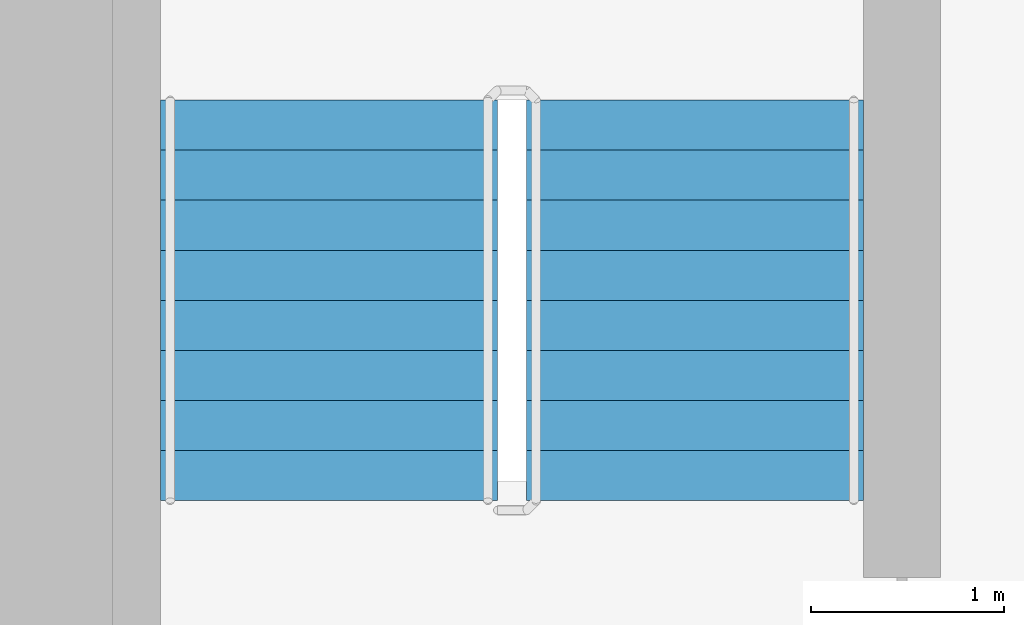
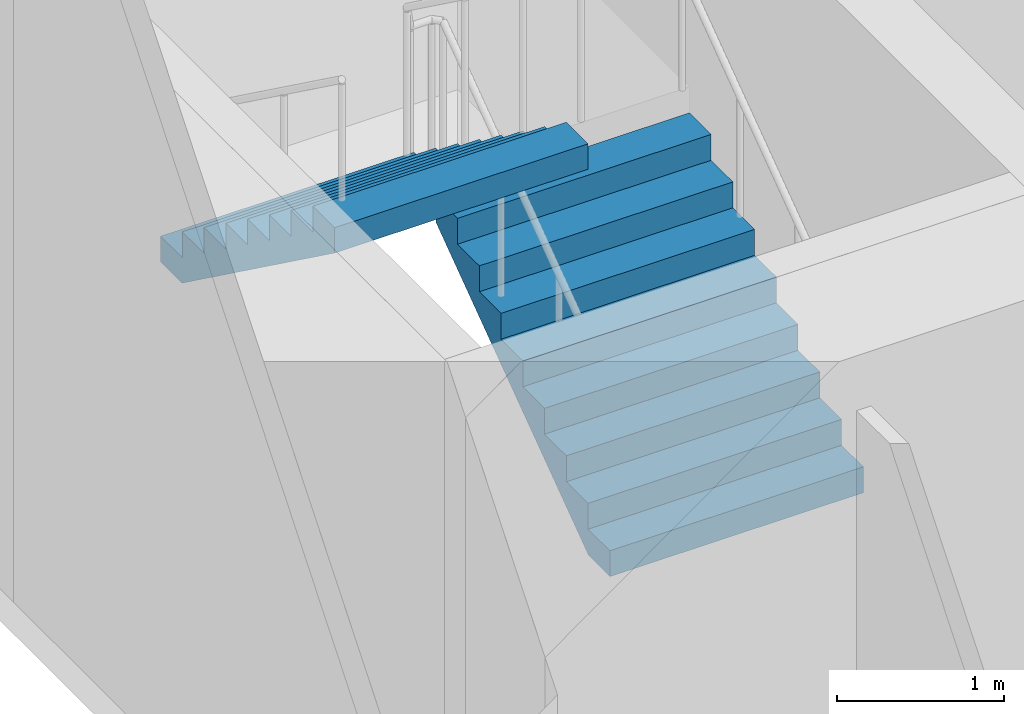
# One storey, part 17 of 20: 2 stair flights, 1 element without a shape of its own.
"""IFC4 building model written with IfcOpenShell, lengths in metres."""

from ifc_helpers import new_model, si_unit, direction, frame, origin, place, context, subcontext, project, spatial, faceted_brep, material, type_object, element, aggregate, save


model = new_model("IFC4")

# Units and contexts
model_context = context("Model", 3, precision=1e-05, world=origin(), true_north=direction((0.0, 1.0)))
body_context = subcontext(model_context, "Body", "Model", "MODEL_VIEW")
ifc_project = project(units=[si_unit("LENGTHUNIT", "METRE"), si_unit("AREAUNIT", "SQUARE_METRE"), si_unit("VOLUMEUNIT", "CUBIC_METRE"), si_unit("PLANEANGLEUNIT", "RADIAN"), si_unit("MASSUNIT", "GRAM", prefix="KILO")], contexts=[model_context])

# Site, building, storey
site_placement = place(None, origin())
site = spatial("IfcSite", under=ifc_project, at=site_placement, CompositionType="ELEMENT")
building_placement = place(site_placement, origin())
building = spatial("IfcBuilding", under=site, at=building_placement, Name="Ipe Terrace Towers", CompositionType="ELEMENT")
storey_placement = place(building_placement, frame((0.0, 0.0, 100.39990234375)))
storey = spatial("IfcBuildingStorey", under=building, at=storey_placement, Name="L27", CompositionType="ELEMENT", Elevation=100.39990234375)

# Stair, stair flights
ifc_material_1 = material(Name="Concrete C30/37", Category="concrete")
stair_type = type_object("IfcStairType", Name="Protected exit stair", PredefinedType="HALF_TURN_STAIR", material=ifc_material_1)
stair_placement = place(storey_placement, origin())
stair = element("IfcStair", 1, at=stair_placement, inside=storey, type_object=stair_type, Name="L27 Exit stair T2-C1", PredefinedType="HALF_TURN_STAIR")
ifc_material_2 = material(Name="Concrete C30/37", Category="concrete")
stair_flight_type = type_object("IfcStairFlightType", Name="Exit stair flight 1750", PredefinedType="STRAIGHT", material=ifc_material_2)
stair_flight_1_placement = place(storey_placement, frame((33.22509765625, 9.699951171875, 0.0), z_axis=(0.0, 0.0, 1.0), x_axis=(0.0, 1.0, 0.0)))
stair_flight_1 = element("IfcStairFlight", 2, at=stair_flight_1_placement, type_object=stair_flight_type, Name="T2-ST1 flight 1", NumberOfRisers=9, NumberOfTreads=8, PredefinedType="STRAIGHT", RiserHeight=0.188888889, TreadLength=0.26, context=body_context, shape_type="Brep", body=[
    faceted_brep([(0.255126953125, -0.875, 0.0), (2.080078125, -0.875, 1.325927734375), (2.080078125, -0.875, 1.51123046875), (1.820068359375, -0.875, 1.51123046875), (1.820068359375, -0.875, 1.322265625), (1.56005859375, -0.875, 1.322265625), (1.56005859375, -0.875, 1.13330078125), (1.300048828125, -0.875, 1.13330078125), (1.300048828125, -0.875, 0.9443359375), (1.0400390625, -0.875, 0.9443359375), (1.0400390625, -0.875, 0.755615234375), (0.780029296875, -0.875, 0.755615234375), (0.780029296875, -0.875, 0.566650390625), (0.52001953125, -0.875, 0.566650390625), (0.52001953125, -0.875, 0.377685546875), (0.260009765625, -0.875, 0.377685546875), (0.260009765625, -0.875, 0.18896484375), (0.0, -0.875, 0.18896484375), (0.0, -0.875, 0.0), (0.0, 0.875, 0.0), (0.0, 0.875, 0.18896484375), (0.260009765625, 0.875, 0.18896484375), (0.260009765625, 0.875, 0.377685546875), (0.52001953125, 0.875, 0.377685546875), (0.52001953125, 0.875, 0.566650390625), (0.780029296875, 0.875, 0.566650390625), (0.780029296875, 0.875, 0.755615234375), (1.0400390625, 0.875, 0.755615234375), (1.0400390625, 0.875, 0.9443359375), (1.300048828125, 0.875, 0.9443359375), (1.300048828125, 0.875, 1.13330078125), (1.56005859375, 0.875, 1.13330078125), (1.56005859375, 0.875, 1.322265625), (1.820068359375, 0.875, 1.322265625), (1.820068359375, 0.875, 1.51123046875), (2.080078125, 0.875, 1.51123046875), (2.080078125, 0.875, 1.325927734375), (0.255126953125, 0.875, 0.0), (0.0, -0.300048828125, 0.18896484375), (0.0, -0.1201171875, 0.18896484375), (0.0, -0.06005859375, 0.18896484375), (0.0, -0.030029296875, 0.18896484375), (0.0, -0.010009765625, 0.18896484375), (0.0, 0.0, 0.18896484375), (0.0, 0.010009765625, 0.18896484375), (0.0, 0.030029296875, 0.18896484375), (0.0, 0.06005859375, 0.18896484375), (0.0, 0.1201171875, 0.18896484375), (0.0, 0.300048828125, 0.18896484375), (0.0, 0.300048828125, 0.0), (0.0, 0.1201171875, 0.0), (0.0, 0.06005859375, 0.0), (0.0, 0.030029296875, 0.0), (0.0, 0.010009765625, 0.0), (0.0, 0.0, 0.0), (0.0, -0.010009765625, 0.0), (0.0, -0.030029296875, 0.0), (0.0, -0.06005859375, 0.0), (0.0, -0.1201171875, 0.0), (0.0, -0.300048828125, 0.0), (0.260009765625, -0.300048828125, 0.18896484375), (0.260009765625, -0.1201171875, 0.18896484375), (0.260009765625, -0.06005859375, 0.18896484375), (0.260009765625, -0.030029296875, 0.18896484375), (0.260009765625, -0.010009765625, 0.18896484375), (0.260009765625, 0.0, 0.18896484375), (0.260009765625, 0.010009765625, 0.18896484375), (0.260009765625, 0.030029296875, 0.18896484375), (0.260009765625, 0.06005859375, 0.18896484375), (0.260009765625, 0.1201171875, 0.18896484375), (0.260009765625, 0.300048828125, 0.18896484375), (0.260009765625, -0.300048828125, 0.377685546875), (0.260009765625, -0.1201171875, 0.377685546875), (0.260009765625, -0.06005859375, 0.377685546875), (0.260009765625, -0.030029296875, 0.377685546875), (0.260009765625, -0.010009765625, 0.377685546875), (0.260009765625, 0.0, 0.377685546875), (0.260009765625, 0.010009765625, 0.377685546875), (0.260009765625, 0.030029296875, 0.377685546875), (0.260009765625, 0.06005859375, 0.377685546875), (0.260009765625, 0.1201171875, 0.377685546875), (0.260009765625, 0.300048828125, 0.377685546875), (0.52001953125, -0.300048828125, 0.377685546875), (0.52001953125, -0.1201171875, 0.377685546875), (0.52001953125, -0.06005859375, 0.377685546875), (0.52001953125, -0.030029296875, 0.377685546875), (0.52001953125, -0.010009765625, 0.377685546875), (0.52001953125, 0.0, 0.377685546875), (0.52001953125, 0.010009765625, 0.377685546875), (0.52001953125, 0.030029296875, 0.377685546875), (0.52001953125, 0.06005859375, 0.377685546875), (0.52001953125, 0.1201171875, 0.377685546875), (0.52001953125, 0.300048828125, 0.377685546875), (0.52001953125, -0.300048828125, 0.566650390625), (0.52001953125, -0.1201171875, 0.566650390625), (0.52001953125, -0.06005859375, 0.566650390625), (0.52001953125, -0.030029296875, 0.566650390625), (0.52001953125, -0.010009765625, 0.566650390625), (0.52001953125, 0.0, 0.566650390625), (0.52001953125, 0.010009765625, 0.566650390625), (0.52001953125, 0.030029296875, 0.566650390625), (0.52001953125, 0.06005859375, 0.566650390625), (0.52001953125, 0.1201171875, 0.566650390625), (0.52001953125, 0.300048828125, 0.566650390625), (0.780029296875, -0.300048828125, 0.566650390625), (0.780029296875, -0.1201171875, 0.566650390625), (0.780029296875, -0.06005859375, 0.566650390625), (0.780029296875, -0.030029296875, 0.566650390625), (0.780029296875, -0.010009765625, 0.566650390625), (0.780029296875, 0.0, 0.566650390625), (0.780029296875, 0.010009765625, 0.566650390625), (0.780029296875, 0.030029296875, 0.566650390625), (0.780029296875, 0.06005859375, 0.566650390625), (0.780029296875, 0.1201171875, 0.566650390625), (0.780029296875, 0.300048828125, 0.566650390625), (0.780029296875, -0.300048828125, 0.755615234375), (0.780029296875, -0.1201171875, 0.755615234375), (0.780029296875, -0.06005859375, 0.755615234375), (0.780029296875, -0.030029296875, 0.755615234375), (0.780029296875, -0.010009765625, 0.755615234375), (0.780029296875, 0.0, 0.755615234375), (0.780029296875, 0.010009765625, 0.755615234375), (0.780029296875, 0.030029296875, 0.755615234375), (0.780029296875, 0.06005859375, 0.755615234375), (0.780029296875, 0.1201171875, 0.755615234375), (0.780029296875, 0.300048828125, 0.755615234375), (1.0400390625, -0.300048828125, 0.755615234375), (1.0400390625, -0.1201171875, 0.755615234375), (1.0400390625, -0.06005859375, 0.755615234375), (1.0400390625, -0.030029296875, 0.755615234375), (1.0400390625, -0.010009765625, 0.755615234375), (1.0400390625, 0.0, 0.755615234375), (1.0400390625, 0.010009765625, 0.755615234375), (1.0400390625, 0.030029296875, 0.755615234375), (1.0400390625, 0.06005859375, 0.755615234375), (1.0400390625, 0.1201171875, 0.755615234375), (1.0400390625, 0.300048828125, 0.755615234375), (1.0400390625, -0.300048828125, 0.9443359375), (1.0400390625, -0.1201171875, 0.9443359375), (1.0400390625, -0.06005859375, 0.9443359375), (1.0400390625, -0.030029296875, 0.9443359375), (1.0400390625, -0.010009765625, 0.9443359375), (1.0400390625, 0.0, 0.9443359375), (1.0400390625, 0.010009765625, 0.9443359375), (1.0400390625, 0.030029296875, 0.9443359375), (1.0400390625, 0.06005859375, 0.9443359375), (1.0400390625, 0.1201171875, 0.9443359375), (1.0400390625, 0.300048828125, 0.9443359375), (1.300048828125, -0.300048828125, 0.9443359375), (1.300048828125, -0.1201171875, 0.9443359375), (1.300048828125, -0.06005859375, 0.9443359375), (1.300048828125, -0.030029296875, 0.9443359375), (1.300048828125, -0.010009765625, 0.9443359375), (1.300048828125, 0.0, 0.9443359375), (1.300048828125, 0.010009765625, 0.9443359375), (1.300048828125, 0.030029296875, 0.9443359375), (1.300048828125, 0.06005859375, 0.9443359375), (1.300048828125, 0.1201171875, 0.9443359375), (1.300048828125, 0.300048828125, 0.9443359375), (1.300048828125, -0.300048828125, 1.13330078125), (1.300048828125, -0.1201171875, 1.13330078125), (1.300048828125, -0.06005859375, 1.13330078125), (1.300048828125, -0.030029296875, 1.13330078125), (1.300048828125, -0.010009765625, 1.13330078125), (1.300048828125, 0.0, 1.13330078125), (1.300048828125, 0.010009765625, 1.13330078125), (1.300048828125, 0.030029296875, 1.13330078125), (1.300048828125, 0.06005859375, 1.13330078125), (1.300048828125, 0.1201171875, 1.13330078125), (1.300048828125, 0.300048828125, 1.13330078125), (1.56005859375, -0.300048828125, 1.13330078125), (1.56005859375, -0.1201171875, 1.13330078125), (1.56005859375, -0.06005859375, 1.13330078125), (1.56005859375, -0.030029296875, 1.13330078125), (1.56005859375, -0.010009765625, 1.13330078125), (1.56005859375, 0.0, 1.13330078125), (1.56005859375, 0.010009765625, 1.13330078125), (1.56005859375, 0.030029296875, 1.13330078125), (1.56005859375, 0.06005859375, 1.13330078125), (1.56005859375, 0.1201171875, 1.13330078125), (1.56005859375, 0.300048828125, 1.13330078125), (1.56005859375, -0.300048828125, 1.322265625), (1.56005859375, -0.1201171875, 1.322265625), (1.56005859375, -0.06005859375, 1.322265625), (1.56005859375, -0.030029296875, 1.322265625), (1.56005859375, -0.010009765625, 1.322265625), (1.56005859375, 0.0, 1.322265625), (1.56005859375, 0.010009765625, 1.322265625), (1.56005859375, 0.030029296875, 1.322265625), (1.56005859375, 0.06005859375, 1.322265625), (1.56005859375, 0.1201171875, 1.322265625), (1.56005859375, 0.300048828125, 1.322265625), (1.820068359375, -0.300048828125, 1.322265625), (1.820068359375, -0.1201171875, 1.322265625), (1.820068359375, -0.06005859375, 1.322265625), (1.820068359375, -0.030029296875, 1.322265625), (1.820068359375, -0.010009765625, 1.322265625), (1.820068359375, 0.0, 1.322265625), (1.820068359375, 0.010009765625, 1.322265625), (1.820068359375, 0.030029296875, 1.322265625), (1.820068359375, 0.06005859375, 1.322265625), (1.820068359375, 0.1201171875, 1.322265625), (1.820068359375, 0.300048828125, 1.322265625), (1.820068359375, -0.300048828125, 1.51123046875), (1.820068359375, -0.1201171875, 1.51123046875), (1.820068359375, -0.06005859375, 1.51123046875), (1.820068359375, -0.030029296875, 1.51123046875), (1.820068359375, -0.010009765625, 1.51123046875), (1.820068359375, 0.0, 1.51123046875), (1.820068359375, 0.010009765625, 1.51123046875), (1.820068359375, 0.030029296875, 1.51123046875), (1.820068359375, 0.06005859375, 1.51123046875), (1.820068359375, 0.1201171875, 1.51123046875), (1.820068359375, 0.300048828125, 1.51123046875), (2.080078125, -0.300048828125, 1.51123046875), (2.080078125, -0.1201171875, 1.51123046875), (2.080078125, -0.06005859375, 1.51123046875), (2.080078125, -0.030029296875, 1.51123046875), (2.080078125, -0.010009765625, 1.51123046875), (2.080078125, 0.0, 1.51123046875), (2.080078125, 0.010009765625, 1.51123046875), (2.080078125, 0.030029296875, 1.51123046875), (2.080078125, 0.06005859375, 1.51123046875), (2.080078125, 0.1201171875, 1.51123046875), (2.080078125, 0.300048828125, 1.51123046875), (2.080078125, -0.300048828125, 1.325927734375), (2.080078125, -0.1201171875, 1.325927734375), (2.080078125, -0.06005859375, 1.325927734375), (2.080078125, -0.030029296875, 1.325927734375), (2.080078125, -0.010009765625, 1.325927734375), (2.080078125, 0.0, 1.325927734375), (2.080078125, 0.010009765625, 1.325927734375), (2.080078125, 0.030029296875, 1.325927734375), (2.080078125, 0.06005859375, 1.325927734375), (2.080078125, 0.1201171875, 1.325927734375), (2.080078125, 0.300048828125, 1.325927734375), (0.255126953125, -0.300048828125, 0.0), (0.255126953125, -0.1201171875, 0.0), (0.255126953125, -0.06005859375, 0.0), (0.255126953125, -0.030029296875, 0.0), (0.255126953125, -0.010009765625, 0.0), (0.255126953125, 0.0, 0.0), (0.255126953125, 0.010009765625, 0.0), (0.255126953125, 0.030029296875, 0.0), (0.255126953125, 0.06005859375, 0.0), (0.255126953125, 0.1201171875, 0.0), (0.255126953125, 0.300048828125, 0.0)], [[[0, 1, 2, 3, 4, 5, 6, 7, 8, 9, 10, 11, 12, 13, 14, 15, 16, 17, 18]], [[19, 20, 21, 22, 23, 24, 25, 26, 27, 28, 29, 30, 31, 32, 33, 34, 35, 36, 37]], [[17, 38, 39, 40, 41, 42, 43, 44, 45, 46, 47, 48, 20, 19, 49, 50, 51, 52, 53, 54, 55, 56, 57, 58, 59, 18]], [[16, 60, 61, 62, 63, 64, 65, 66, 67, 68, 69, 70, 21, 20, 48, 47, 46, 45, 44, 43, 42, 41, 40, 39, 38, 17]], [[15, 71, 72, 73, 74, 75, 76, 77, 78, 79, 80, 81, 22, 21, 70, 69, 68, 67, 66, 65, 64, 63, 62, 61, 60, 16]], [[14, 82, 83, 84, 85, 86, 87, 88, 89, 90, 91, 92, 23, 22, 81, 80, 79, 78, 77, 76, 75, 74, 73, 72, 71, 15]], [[13, 93, 94, 95, 96, 97, 98, 99, 100, 101, 102, 103, 24, 23, 92, 91, 90, 89, 88, 87, 86, 85, 84, 83, 82, 14]], [[12, 104, 105, 106, 107, 108, 109, 110, 111, 112, 113, 114, 25, 24, 103, 102, 101, 100, 99, 98, 97, 96, 95, 94, 93, 13]], [[11, 115, 116, 117, 118, 119, 120, 121, 122, 123, 124, 125, 26, 25, 114, 113, 112, 111, 110, 109, 108, 107, 106, 105, 104, 12]], [[10, 126, 127, 128, 129, 130, 131, 132, 133, 134, 135, 136, 27, 26, 125, 124, 123, 122, 121, 120, 119, 118, 117, 116, 115, 11]], [[9, 137, 138, 139, 140, 141, 142, 143, 144, 145, 146, 147, 28, 27, 136, 135, 134, 133, 132, 131, 130, 129, 128, 127, 126, 10]], [[8, 148, 149, 150, 151, 152, 153, 154, 155, 156, 157, 158, 29, 28, 147, 146, 145, 144, 143, 142, 141, 140, 139, 138, 137, 9]], [[7, 159, 160, 161, 162, 163, 164, 165, 166, 167, 168, 169, 30, 29, 158, 157, 156, 155, 154, 153, 152, 151, 150, 149, 148, 8]], [[6, 170, 171, 172, 173, 174, 175, 176, 177, 178, 179, 180, 31, 30, 169, 168, 167, 166, 165, 164, 163, 162, 161, 160, 159, 7]], [[5, 181, 182, 183, 184, 185, 186, 187, 188, 189, 190, 191, 32, 31, 180, 179, 178, 177, 176, 175, 174, 173, 172, 171, 170, 6]], [[4, 192, 193, 194, 195, 196, 197, 198, 199, 200, 201, 202, 33, 32, 191, 190, 189, 188, 187, 186, 185, 184, 183, 182, 181, 5]], [[3, 203, 204, 205, 206, 207, 208, 209, 210, 211, 212, 213, 34, 33, 202, 201, 200, 199, 198, 197, 196, 195, 194, 193, 192, 4]], [[2, 214, 215, 216, 217, 218, 219, 220, 221, 222, 223, 224, 35, 34, 213, 212, 211, 210, 209, 208, 207, 206, 205, 204, 203, 3]], [[1, 225, 226, 227, 228, 229, 230, 231, 232, 233, 234, 235, 36, 35, 224, 223, 222, 221, 220, 219, 218, 217, 216, 215, 214, 2]], [[0, 236, 237, 238, 239, 240, 241, 242, 243, 244, 245, 246, 37, 36, 235, 234, 233, 232, 231, 230, 229, 228, 227, 226, 225, 1]], [[18, 59, 58, 57, 56, 55, 54, 53, 52, 51, 50, 49, 19, 37, 246, 245, 244, 243, 242, 241, 240, 239, 238, 237, 236, 0]]]),
])
stair_flight_2_placement = place(storey_placement, frame((31.324951171875, 11.780029296875, 1.7001953125), z_axis=(0.0, 0.0, 1.0), x_axis=(0.0, -1.0, 0.0)))
stair_flight_2 = element("IfcStairFlight", 3, at=stair_flight_2_placement, type_object=stair_flight_type, Name="T2-ST1 flight 2", NumberOfRisers=9, NumberOfTreads=8, PredefinedType="STRAIGHT", RiserHeight=0.188888889, TreadLength=0.26, context=body_context, shape_type="Brep", body=[
    faceted_brep([(0.255126953125, -0.875, 0.0), (2.080078125, -0.875, 1.325927734375), (2.080078125, -0.875, 1.51123046875), (1.820068359375, -0.875, 1.51123046875), (1.820068359375, -0.875, 1.322265625), (1.56005859375, -0.875, 1.322265625), (1.56005859375, -0.875, 1.13330078125), (1.300048828125, -0.875, 1.13330078125), (1.300048828125, -0.875, 0.9443359375), (1.0400390625, -0.875, 0.9443359375), (1.0400390625, -0.875, 0.755615234375), (0.780029296875, -0.875, 0.755615234375), (0.780029296875, -0.875, 0.566650390625), (0.52001953125, -0.875, 0.566650390625), (0.52001953125, -0.875, 0.377685546875), (0.260009765625, -0.875, 0.377685546875), (0.260009765625, -0.875, 0.18896484375), (0.0, -0.875, 0.18896484375), (0.0, -0.875, 0.0), (0.0, 0.875, 0.0), (0.0, 0.875, 0.18896484375), (0.260009765625, 0.875, 0.18896484375), (0.260009765625, 0.875, 0.377685546875), (0.52001953125, 0.875, 0.377685546875), (0.52001953125, 0.875, 0.566650390625), (0.780029296875, 0.875, 0.566650390625), (0.780029296875, 0.875, 0.755615234375), (1.0400390625, 0.875, 0.755615234375), (1.0400390625, 0.875, 0.9443359375), (1.300048828125, 0.875, 0.9443359375), (1.300048828125, 0.875, 1.13330078125), (1.56005859375, 0.875, 1.13330078125), (1.56005859375, 0.875, 1.322265625), (1.820068359375, 0.875, 1.322265625), (1.820068359375, 0.875, 1.51123046875), (2.080078125, 0.875, 1.51123046875), (2.080078125, 0.875, 1.325927734375), (0.255126953125, 0.875, 0.0), (0.0, -0.300048828125, 0.18896484375), (0.0, -0.1201171875, 0.18896484375), (0.0, -0.06005859375, 0.18896484375), (0.0, -0.030029296875, 0.18896484375), (0.0, -0.010009765625, 0.18896484375), (0.0, 0.0, 0.18896484375), (0.0, 0.010009765625, 0.18896484375), (0.0, 0.030029296875, 0.18896484375), (0.0, 0.06005859375, 0.18896484375), (0.0, 0.1201171875, 0.18896484375), (0.0, 0.300048828125, 0.18896484375), (0.0, 0.300048828125, 0.0), (0.0, 0.1201171875, 0.0), (0.0, 0.06005859375, 0.0), (0.0, 0.030029296875, 0.0), (0.0, 0.010009765625, 0.0), (0.0, 0.0, 0.0), (0.0, -0.010009765625, 0.0), (0.0, -0.030029296875, 0.0), (0.0, -0.06005859375, 0.0), (0.0, -0.1201171875, 0.0), (0.0, -0.300048828125, 0.0), (0.260009765625, -0.300048828125, 0.18896484375), (0.260009765625, -0.1201171875, 0.18896484375), (0.260009765625, -0.06005859375, 0.18896484375), (0.260009765625, -0.030029296875, 0.18896484375), (0.260009765625, -0.010009765625, 0.18896484375), (0.260009765625, 0.0, 0.18896484375), (0.260009765625, 0.010009765625, 0.18896484375), (0.260009765625, 0.030029296875, 0.18896484375), (0.260009765625, 0.06005859375, 0.18896484375), (0.260009765625, 0.1201171875, 0.18896484375), (0.260009765625, 0.300048828125, 0.18896484375), (0.260009765625, -0.300048828125, 0.377685546875), (0.260009765625, -0.1201171875, 0.377685546875), (0.260009765625, -0.06005859375, 0.377685546875), (0.260009765625, -0.030029296875, 0.377685546875), (0.260009765625, -0.010009765625, 0.377685546875), (0.260009765625, 0.0, 0.377685546875), (0.260009765625, 0.010009765625, 0.377685546875), (0.260009765625, 0.030029296875, 0.377685546875), (0.260009765625, 0.06005859375, 0.377685546875), (0.260009765625, 0.1201171875, 0.377685546875), (0.260009765625, 0.300048828125, 0.377685546875), (0.52001953125, -0.300048828125, 0.377685546875), (0.52001953125, -0.1201171875, 0.377685546875), (0.52001953125, -0.06005859375, 0.377685546875), (0.52001953125, -0.030029296875, 0.377685546875), (0.52001953125, -0.010009765625, 0.377685546875), (0.52001953125, 0.0, 0.377685546875), (0.52001953125, 0.010009765625, 0.377685546875), (0.52001953125, 0.030029296875, 0.377685546875), (0.52001953125, 0.06005859375, 0.377685546875), (0.52001953125, 0.1201171875, 0.377685546875), (0.52001953125, 0.300048828125, 0.377685546875), (0.52001953125, -0.300048828125, 0.566650390625), (0.52001953125, -0.1201171875, 0.566650390625), (0.52001953125, -0.06005859375, 0.566650390625), (0.52001953125, -0.030029296875, 0.566650390625), (0.52001953125, -0.010009765625, 0.566650390625), (0.52001953125, 0.0, 0.566650390625), (0.52001953125, 0.010009765625, 0.566650390625), (0.52001953125, 0.030029296875, 0.566650390625), (0.52001953125, 0.06005859375, 0.566650390625), (0.52001953125, 0.1201171875, 0.566650390625), (0.52001953125, 0.300048828125, 0.566650390625), (0.780029296875, -0.300048828125, 0.566650390625), (0.780029296875, -0.1201171875, 0.566650390625), (0.780029296875, -0.06005859375, 0.566650390625), (0.780029296875, -0.030029296875, 0.566650390625), (0.780029296875, -0.010009765625, 0.566650390625), (0.780029296875, 0.0, 0.566650390625), (0.780029296875, 0.010009765625, 0.566650390625), (0.780029296875, 0.030029296875, 0.566650390625), (0.780029296875, 0.06005859375, 0.566650390625), (0.780029296875, 0.1201171875, 0.566650390625), (0.780029296875, 0.300048828125, 0.566650390625), (0.780029296875, -0.300048828125, 0.755615234375), (0.780029296875, -0.1201171875, 0.755615234375), (0.780029296875, -0.06005859375, 0.755615234375), (0.780029296875, -0.030029296875, 0.755615234375), (0.780029296875, -0.010009765625, 0.755615234375), (0.780029296875, 0.0, 0.755615234375), (0.780029296875, 0.010009765625, 0.755615234375), (0.780029296875, 0.030029296875, 0.755615234375), (0.780029296875, 0.06005859375, 0.755615234375), (0.780029296875, 0.1201171875, 0.755615234375), (0.780029296875, 0.300048828125, 0.755615234375), (1.0400390625, -0.300048828125, 0.755615234375), (1.0400390625, -0.1201171875, 0.755615234375), (1.0400390625, -0.06005859375, 0.755615234375), (1.0400390625, -0.030029296875, 0.755615234375), (1.0400390625, -0.010009765625, 0.755615234375), (1.0400390625, 0.0, 0.755615234375), (1.0400390625, 0.010009765625, 0.755615234375), (1.0400390625, 0.030029296875, 0.755615234375), (1.0400390625, 0.06005859375, 0.755615234375), (1.0400390625, 0.1201171875, 0.755615234375), (1.0400390625, 0.300048828125, 0.755615234375), (1.0400390625, -0.300048828125, 0.9443359375), (1.0400390625, -0.1201171875, 0.9443359375), (1.0400390625, -0.06005859375, 0.9443359375), (1.0400390625, -0.030029296875, 0.9443359375), (1.0400390625, -0.010009765625, 0.9443359375), (1.0400390625, 0.0, 0.9443359375), (1.0400390625, 0.010009765625, 0.9443359375), (1.0400390625, 0.030029296875, 0.9443359375), (1.0400390625, 0.06005859375, 0.9443359375), (1.0400390625, 0.1201171875, 0.9443359375), (1.0400390625, 0.300048828125, 0.9443359375), (1.300048828125, -0.300048828125, 0.9443359375), (1.300048828125, -0.1201171875, 0.9443359375), (1.300048828125, -0.06005859375, 0.9443359375), (1.300048828125, -0.030029296875, 0.9443359375), (1.300048828125, -0.010009765625, 0.9443359375), (1.300048828125, 0.0, 0.9443359375), (1.300048828125, 0.010009765625, 0.9443359375), (1.300048828125, 0.030029296875, 0.9443359375), (1.300048828125, 0.06005859375, 0.9443359375), (1.300048828125, 0.1201171875, 0.9443359375), (1.300048828125, 0.300048828125, 0.9443359375), (1.300048828125, -0.300048828125, 1.13330078125), (1.300048828125, -0.1201171875, 1.13330078125), (1.300048828125, -0.06005859375, 1.13330078125), (1.300048828125, -0.030029296875, 1.13330078125), (1.300048828125, -0.010009765625, 1.13330078125), (1.300048828125, 0.0, 1.13330078125), (1.300048828125, 0.010009765625, 1.13330078125), (1.300048828125, 0.030029296875, 1.13330078125), (1.300048828125, 0.06005859375, 1.13330078125), (1.300048828125, 0.1201171875, 1.13330078125), (1.300048828125, 0.300048828125, 1.13330078125), (1.56005859375, -0.300048828125, 1.13330078125), (1.56005859375, -0.1201171875, 1.13330078125), (1.56005859375, -0.06005859375, 1.13330078125), (1.56005859375, -0.030029296875, 1.13330078125), (1.56005859375, -0.010009765625, 1.13330078125), (1.56005859375, 0.0, 1.13330078125), (1.56005859375, 0.010009765625, 1.13330078125), (1.56005859375, 0.030029296875, 1.13330078125), (1.56005859375, 0.06005859375, 1.13330078125), (1.56005859375, 0.1201171875, 1.13330078125), (1.56005859375, 0.300048828125, 1.13330078125), (1.56005859375, -0.300048828125, 1.322265625), (1.56005859375, -0.1201171875, 1.322265625), (1.56005859375, -0.06005859375, 1.322265625), (1.56005859375, -0.030029296875, 1.322265625), (1.56005859375, -0.010009765625, 1.322265625), (1.56005859375, 0.0, 1.322265625), (1.56005859375, 0.010009765625, 1.322265625), (1.56005859375, 0.030029296875, 1.322265625), (1.56005859375, 0.06005859375, 1.322265625), (1.56005859375, 0.1201171875, 1.322265625), (1.56005859375, 0.300048828125, 1.322265625), (1.820068359375, -0.300048828125, 1.322265625), (1.820068359375, -0.1201171875, 1.322265625), (1.820068359375, -0.06005859375, 1.322265625), (1.820068359375, -0.030029296875, 1.322265625), (1.820068359375, -0.010009765625, 1.322265625), (1.820068359375, 0.0, 1.322265625), (1.820068359375, 0.010009765625, 1.322265625), (1.820068359375, 0.030029296875, 1.322265625), (1.820068359375, 0.06005859375, 1.322265625), (1.820068359375, 0.1201171875, 1.322265625), (1.820068359375, 0.300048828125, 1.322265625), (1.820068359375, -0.300048828125, 1.51123046875), (1.820068359375, -0.1201171875, 1.51123046875), (1.820068359375, -0.06005859375, 1.51123046875), (1.820068359375, -0.030029296875, 1.51123046875), (1.820068359375, -0.010009765625, 1.51123046875), (1.820068359375, 0.0, 1.51123046875), (1.820068359375, 0.010009765625, 1.51123046875), (1.820068359375, 0.030029296875, 1.51123046875), (1.820068359375, 0.06005859375, 1.51123046875), (1.820068359375, 0.1201171875, 1.51123046875), (1.820068359375, 0.300048828125, 1.51123046875), (2.080078125, -0.300048828125, 1.51123046875), (2.080078125, -0.1201171875, 1.51123046875), (2.080078125, -0.06005859375, 1.51123046875), (2.080078125, -0.030029296875, 1.51123046875), (2.080078125, -0.010009765625, 1.51123046875), (2.080078125, 0.0, 1.51123046875), (2.080078125, 0.010009765625, 1.51123046875), (2.080078125, 0.030029296875, 1.51123046875), (2.080078125, 0.06005859375, 1.51123046875), (2.080078125, 0.1201171875, 1.51123046875), (2.080078125, 0.300048828125, 1.51123046875), (2.080078125, -0.300048828125, 1.325927734375), (2.080078125, -0.1201171875, 1.325927734375), (2.080078125, -0.06005859375, 1.325927734375), (2.080078125, -0.030029296875, 1.325927734375), (2.080078125, -0.010009765625, 1.325927734375), (2.080078125, 0.0, 1.325927734375), (2.080078125, 0.010009765625, 1.325927734375), (2.080078125, 0.030029296875, 1.325927734375), (2.080078125, 0.06005859375, 1.325927734375), (2.080078125, 0.1201171875, 1.325927734375), (2.080078125, 0.300048828125, 1.325927734375), (0.255126953125, -0.300048828125, 0.0), (0.255126953125, -0.1201171875, 0.0), (0.255126953125, -0.06005859375, 0.0), (0.255126953125, -0.030029296875, 0.0), (0.255126953125, -0.010009765625, 0.0), (0.255126953125, 0.0, 0.0), (0.255126953125, 0.010009765625, 0.0), (0.255126953125, 0.030029296875, 0.0), (0.255126953125, 0.06005859375, 0.0), (0.255126953125, 0.1201171875, 0.0), (0.255126953125, 0.300048828125, 0.0)], [[[0, 1, 2, 3, 4, 5, 6, 7, 8, 9, 10, 11, 12, 13, 14, 15, 16, 17, 18]], [[19, 20, 21, 22, 23, 24, 25, 26, 27, 28, 29, 30, 31, 32, 33, 34, 35, 36, 37]], [[17, 38, 39, 40, 41, 42, 43, 44, 45, 46, 47, 48, 20, 19, 49, 50, 51, 52, 53, 54, 55, 56, 57, 58, 59, 18]], [[16, 60, 61, 62, 63, 64, 65, 66, 67, 68, 69, 70, 21, 20, 48, 47, 46, 45, 44, 43, 42, 41, 40, 39, 38, 17]], [[15, 71, 72, 73, 74, 75, 76, 77, 78, 79, 80, 81, 22, 21, 70, 69, 68, 67, 66, 65, 64, 63, 62, 61, 60, 16]], [[14, 82, 83, 84, 85, 86, 87, 88, 89, 90, 91, 92, 23, 22, 81, 80, 79, 78, 77, 76, 75, 74, 73, 72, 71, 15]], [[13, 93, 94, 95, 96, 97, 98, 99, 100, 101, 102, 103, 24, 23, 92, 91, 90, 89, 88, 87, 86, 85, 84, 83, 82, 14]], [[12, 104, 105, 106, 107, 108, 109, 110, 111, 112, 113, 114, 25, 24, 103, 102, 101, 100, 99, 98, 97, 96, 95, 94, 93, 13]], [[11, 115, 116, 117, 118, 119, 120, 121, 122, 123, 124, 125, 26, 25, 114, 113, 112, 111, 110, 109, 108, 107, 106, 105, 104, 12]], [[10, 126, 127, 128, 129, 130, 131, 132, 133, 134, 135, 136, 27, 26, 125, 124, 123, 122, 121, 120, 119, 118, 117, 116, 115, 11]], [[9, 137, 138, 139, 140, 141, 142, 143, 144, 145, 146, 147, 28, 27, 136, 135, 134, 133, 132, 131, 130, 129, 128, 127, 126, 10]], [[8, 148, 149, 150, 151, 152, 153, 154, 155, 156, 157, 158, 29, 28, 147, 146, 145, 144, 143, 142, 141, 140, 139, 138, 137, 9]], [[7, 159, 160, 161, 162, 163, 164, 165, 166, 167, 168, 169, 30, 29, 158, 157, 156, 155, 154, 153, 152, 151, 150, 149, 148, 8]], [[6, 170, 171, 172, 173, 174, 175, 176, 177, 178, 179, 180, 31, 30, 169, 168, 167, 166, 165, 164, 163, 162, 161, 160, 159, 7]], [[5, 181, 182, 183, 184, 185, 186, 187, 188, 189, 190, 191, 32, 31, 180, 179, 178, 177, 176, 175, 174, 173, 172, 171, 170, 6]], [[4, 192, 193, 194, 195, 196, 197, 198, 199, 200, 201, 202, 33, 32, 191, 190, 189, 188, 187, 186, 185, 184, 183, 182, 181, 5]], [[3, 203, 204, 205, 206, 207, 208, 209, 210, 211, 212, 213, 34, 33, 202, 201, 200, 199, 198, 197, 196, 195, 194, 193, 192, 4]], [[2, 214, 215, 216, 217, 218, 219, 220, 221, 222, 223, 224, 35, 34, 213, 212, 211, 210, 209, 208, 207, 206, 205, 204, 203, 3]], [[1, 225, 226, 227, 228, 229, 230, 231, 232, 233, 234, 235, 36, 35, 224, 223, 222, 221, 220, 219, 218, 217, 216, 215, 214, 2]], [[0, 236, 237, 238, 239, 240, 241, 242, 243, 244, 245, 246, 37, 36, 235, 234, 233, 232, 231, 230, 229, 228, 227, 226, 225, 1]], [[18, 59, 58, 57, 56, 55, 54, 53, 52, 51, 50, 49, 19, 37, 246, 245, 244, 243, 242, 241, 240, 239, 238, 237, 236, 0]]]),
])
aggregate(stair, [stair_flight_1, stair_flight_2])

save(model, "model.ifc")
